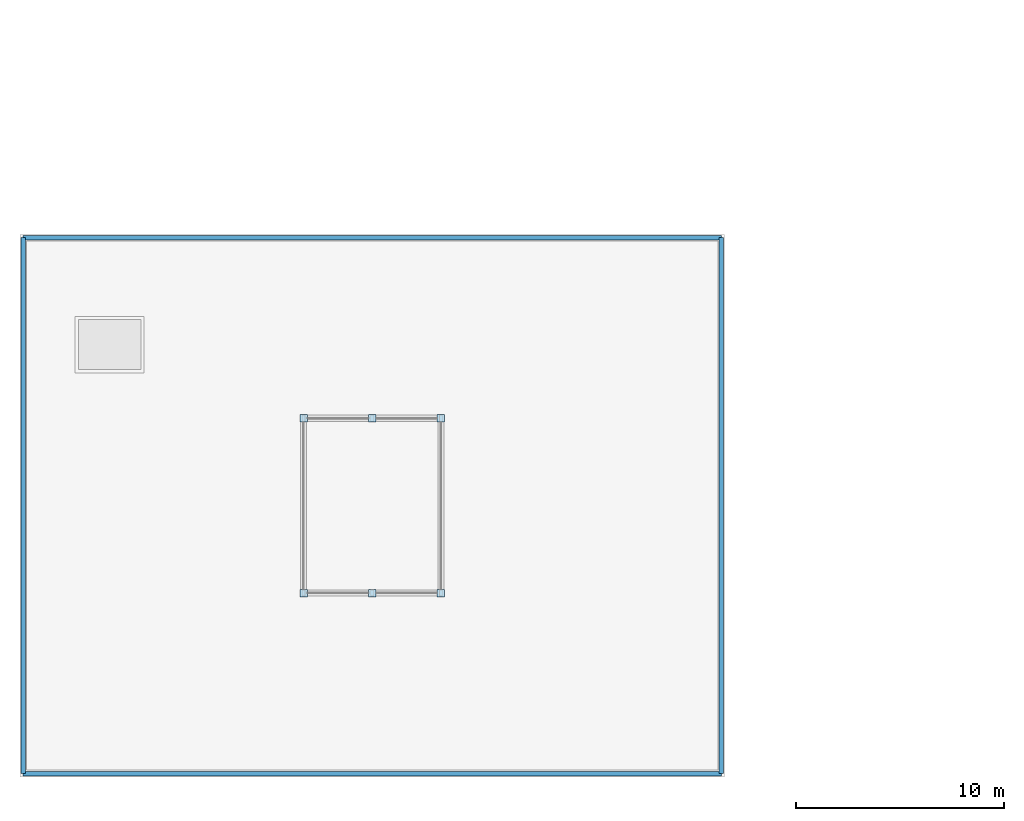
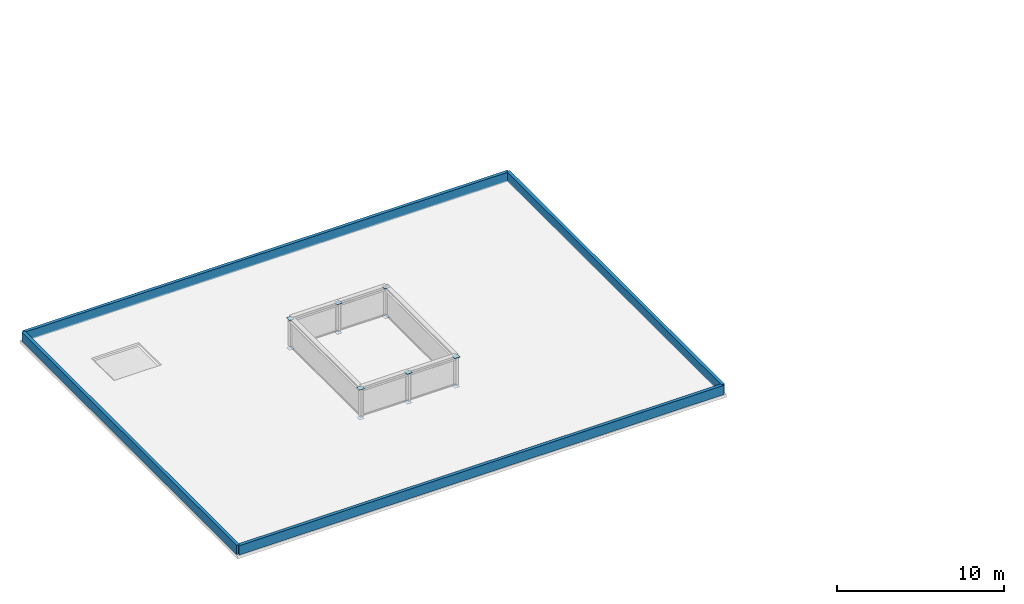
# One storey, part 5 of 14: 12 plates, 4 walls.
"""IFC4 building model written with IfcOpenShell, lengths in metres."""

import ifcopenshell
import ifcopenshell.guid

model = None  # the IFC model being written
_history = None  # IfcOwnerHistory: only IFC2X3 demands one
_inside = {}  # id of a spatial element -> (the spatial element, [elements in it])
_under = {}  # id of a project, library or spatial element -> (it, [spatial elements below it])
_declared = {}  # id of a project -> (the project, [libraries it declares])
_typed = {}  # id of a type object -> (the type object, [elements of that type])
_made_of = {}  # id of a material, layer set ... -> (it, [elements and type objects made of it])


def new_model(schema):
    """Start an empty IFC model of exactly this schema.

    Asked for "IFC4X3", IfcOpenShell would pick the latest addendum, in which some entities
    have other attributes; the version numbers below select the first issue.
    IFC2X3 requires an IfcOwnerHistory on every rooted entity: one is made here for all.
    """
    global model, _history
    if schema == "IFC4X3":
        model = ifcopenshell.file(schema_version=(4, 3, 0, 0))
    else:
        model = ifcopenshell.file(schema=schema)
    _inside.clear()
    _under.clear()
    _declared.clear()
    _typed.clear()
    _made_of.clear()
    _history = None
    if model.schema == "IFC2X3":
        org = make("IfcOrganization", Name="unknown")
        user = make(
            "IfcPersonAndOrganization",
            ThePerson=make("IfcPerson", FamilyName="unknown"),
            TheOrganization=org,
        )
        app = make(
            "IfcApplication",
            ApplicationDeveloper=org,
            Version="unknown",
            ApplicationFullName="unknown",
            ApplicationIdentifier="unknown",
        )
        _history = make(
            "IfcOwnerHistory",
            OwningUser=user,
            OwningApplication=app,
            ChangeAction="ADDED",
            CreationDate=0,
        )
    return model


def make(cls, **values):
    """One entity of the class cls with the attributes given. An attribute that is None is left unset."""
    return model.create_entity(
        cls, **{name: value for name, value in values.items() if value is not None}
    )


def rooted(cls, **values):
    """An entity with a GlobalId (a new one), such as an element, a storey or a relation."""
    return make(cls, GlobalId=ifcopenshell.guid.new(), OwnerHistory=_history, **values)


def si_unit(unit_type, name, prefix=None):
    """IfcSIUnit, for example si_unit("LENGTHUNIT", "METRE", prefix="MILLI")."""
    return make("IfcSIUnit", UnitType=unit_type, Prefix=prefix, Name=name)


def assignment(units):
    """IfcUnitAssignment: the units of a project."""
    return None if units is None else make("IfcUnitAssignment", Units=units)


def point(xyz):
    """IfcCartesianPoint."""
    return None if xyz is None else make("IfcCartesianPoint", Coordinates=xyz)


def direction(xyz):
    """IfcDirection."""
    return None if xyz is None else make("IfcDirection", DirectionRatios=xyz)


def frame(location, z_axis=None, x_axis=None):
    """IfcAxis2Placement3D, a coordinate frame: its origin and axes. An axis left out is left unset."""
    return make(
        "IfcAxis2Placement3D",
        Location=point(location),
        Axis=direction(z_axis),
        RefDirection=direction(x_axis),
    )


def frame_2d(location, x_axis=None):
    """IfcAxis2Placement2D, a coordinate frame in the plane: its origin and x axis."""
    return make(
        "IfcAxis2Placement2D", Location=point(location), RefDirection=direction(x_axis)
    )


def origin():
    """The frame at (0, 0, 0) with its axes left unset."""
    return frame((0.0, 0.0, 0.0))


def origin_2d():
    """The frame at (0, 0) in the plane with its x axis left unset."""
    return frame_2d((0.0, 0.0))


def place(relative_to, where):
    """IfcLocalPlacement: puts the frame where relative to a parent placement (None: the world)."""
    return make(
        "IfcLocalPlacement", PlacementRelTo=relative_to, RelativePlacement=where
    )


def context(
    kind, dimensions, precision=None, world=None, true_north=None, identifier=None
):
    """IfcGeometricRepresentationContext, for example the 3D "Model" context."""
    return make(
        "IfcGeometricRepresentationContext",
        ContextIdentifier=identifier,
        ContextType=kind,
        CoordinateSpaceDimension=dimensions,
        Precision=precision,
        WorldCoordinateSystem=world,
        TrueNorth=true_north,
    )


def subcontext(parent, identifier, kind, view, scale=None):
    """IfcGeometricRepresentationSubContext, for example "Body" below "Model"."""
    return make(
        "IfcGeometricRepresentationSubContext",
        ContextIdentifier=identifier,
        ContextType=kind,
        ParentContext=parent,
        TargetScale=scale,
        TargetView=view,
    )


def project(units=None, contexts=None):
    """IfcProject with its units and contexts."""
    return rooted(
        "IfcProject",
        Name="project",
        RepresentationContexts=contexts,
        UnitsInContext=assignment(units),
    )


def spatial(cls, under=None, at=None, **own):
    """A site, building, storey or space (cls), placed at a placement, below another one or the project."""
    s = rooted(cls, ObjectPlacement=at, **own)
    if under is not None:
        _under.setdefault(under.id(), (under, []))[1].append(s)
    return s


def profile(cls, at=None, kind="AREA", **sizes):
    """A parametric profile (cls). Its sizes go by their IFC names, for example OverallWidth=200.0."""
    return make(cls, ProfileType=kind, Position=at, **sizes)


def rectangle(**sizes):
    """IfcRectangleProfileDef."""
    return profile("IfcRectangleProfileDef", **sizes)


def extrude(swept, where, along, depth):
    """IfcExtrudedAreaSolid: the profile swept, set in the frame where, extruded along a direction by depth."""
    return make(
        "IfcExtrudedAreaSolid",
        SweptArea=swept,
        Position=where,
        ExtrudedDirection=direction(along),
        Depth=depth,
    )


def shape(context_of_items, identifier, shape_type, items):
    """IfcShapeRepresentation: the items that make up one representation, for example the "Body"."""
    return make(
        "IfcShapeRepresentation",
        ContextOfItems=context_of_items,
        RepresentationIdentifier=identifier,
        RepresentationType=shape_type,
        Items=items,
    )


def material(Name=None, Category=None):
    """IfcMaterial."""
    return make("IfcMaterial", Name=Name, Category=Category)


def layer(
    of_material, thickness, ventilated=None, Name=None, Category=None, Priority=None
):
    """IfcMaterialLayer: one layer of a wall or slab, of a material (None: an air gap)."""
    return make(
        "IfcMaterialLayer",
        Material=of_material,
        LayerThickness=thickness,
        IsVentilated=ventilated,
        Name=Name,
        Category=Category,
        Priority=Priority,
    )


def layer_set(layers, Name=None):
    """IfcMaterialLayerSet."""
    return make("IfcMaterialLayerSet", MaterialLayers=layers, LayerSetName=Name)


def made_of(thing, what):
    """Note that an element or type object is made of a material, layer set ...; save() writes the relation."""
    if what is not None:
        _made_of.setdefault(what.id(), (what, []))[1].append(thing)
    return thing


def type_object(cls, material=None, **own):
    """A type object (cls), such as IfcWallType, which elements share."""
    return made_of(rooted(cls, **own), material)


def element(
    cls,
    number,
    at=None,
    inside=None,
    cuts=None,
    type_object=None,
    material=None,
    context=None,
    identifier="Body",
    shape_type=None,
    held_by="IfcProductDefinitionShape",
    body=None,
    shapes=None,
    **own,
):
    """One element of the class cls, such as IfcWall. Its Tag is "e" and its number.

    at: its placement. inside: the storey or other place that contains it. cuts: it is an
    opening in that element (IfcRelVoidsElement). A single representation is given by context,
    identifier, shape_type and body (its items); several are given by shapes. held_by: the class
    of the entity that holds the representations. save() writes the other relations.
    """
    e = rooted(cls, Tag="e%d" % number, ObjectPlacement=at, **own)
    if body is not None:
        shapes = [shape(context, identifier, shape_type, body)]
    if shapes is not None:
        e.Representation = make(held_by, Representations=shapes)
    if inside is not None:
        _inside.setdefault(inside.id(), (inside, []))[1].append(e)
    if cuts is not None:
        rooted(
            "IfcRelVoidsElement", RelatingBuildingElement=cuts, RelatedOpeningElement=e
        )
    if type_object is not None:
        _typed.setdefault(type_object.id(), (type_object, []))[1].append(e)
    return made_of(e, material)


def aggregate(whole, parts):
    """IfcRelAggregates: a whole, such as a stair, and the parts it consists of."""
    return rooted("IfcRelAggregates", RelatingObject=whole, RelatedObjects=parts)


def save(model, path):
    """Write the relations noted so far, then the file.

    IfcRelAggregates (storeys below a building ...), IfcRelContainedInSpatialStructure (elements
    in a storey), IfcRelDefinesByType, IfcRelAssociatesMaterial and IfcRelDeclares: one each for
    every whole, place, type object, material and project.
    """
    for whole, parts in _under.values():
        aggregate(whole, parts)
    for where, things in _inside.values():
        rooted(
            "IfcRelContainedInSpatialStructure",
            RelatedElements=things,
            RelatingStructure=where,
        )
    for kind, things in _typed.values():
        rooted("IfcRelDefinesByType", RelatedObjects=things, RelatingType=kind)
    for what, things in _made_of.values():
        rooted("IfcRelAssociatesMaterial", RelatedObjects=things, RelatingMaterial=what)
    for by, libraries in _declared.values():
        rooted("IfcRelDeclares", RelatingContext=by, RelatedDefinitions=libraries)
    model.write(path)


model = new_model("IFC4")

# Units and contexts
model_context = context("Model", 3, precision=1e-05, world=origin(), true_north=direction((0.0, 1.0)))
body_context = subcontext(model_context, "Body", "Model", "MODEL_VIEW")
ifc_project = project(units=[si_unit("LENGTHUNIT", "METRE"), si_unit("AREAUNIT", "SQUARE_METRE"), si_unit("VOLUMEUNIT", "CUBIC_METRE"), si_unit("PLANEANGLEUNIT", "RADIAN"), si_unit("MASSUNIT", "GRAM", prefix="KILO")], contexts=[model_context])

# Site, building, storey
site_placement = place(None, origin())
site = spatial("IfcSite", under=ifc_project, at=site_placement, CompositionType="ELEMENT")
building_placement = place(site_placement, origin())
building = spatial("IfcBuilding", under=site, at=building_placement, Name="Kolvaren Faculty of Natural Sciences", CompositionType="ELEMENT")
storey_placement = place(building_placement, frame((0.0, 0.0, 28.5)))
storey = spatial("IfcBuildingStorey", under=building, at=storey_placement, Name="L06", CompositionType="ELEMENT", Elevation=28.5)

# Plates
ifc_material_1 = material(Name="Structural steel EN 10025-2 S355J2 (white architectural finish)", Category="steel")
ifc_layer_1 = layer(ifc_material_1, 0.02001953125)
ifc_layer_set_1 = layer_set([ifc_layer_1], Name="Structural steel EN 10025-2 S355J2 (white architectural finish)")
plate_type = type_object("IfcPlateType", Name="BranchTipCollarPlate_TN3", PredefinedType="USERDEFINED", material=ifc_layer_set_1)
for number, where, z_axis, x_axis, name in (
    (1, (20.0, 25.39990234375, -0.010009765625), (0.0, 0.0, 1.0), (1.0, 0.0, 0.0), "Rooftop plant screen post 1 baseplate TN3"),
    (2, (20.0, 25.39990234375, 2.169921875), (0.0, 0.0, 1.0), (1.0, 0.0, 0.0), "Rooftop plant screen post 1 cap plate TN3"),
    (3, (23.300048828125, 25.39990234375, -0.010009765625), (0.0, 0.0, 1.0), (1.0, 0.0, 0.0), "Rooftop plant screen post 2 baseplate TN3"),
    (4, (23.300048828125, 25.39990234375, 2.169921875), (0.0, 0.0, 1.0), (1.0, 0.0, 0.0), "Rooftop plant screen post 2 cap plate TN3"),
    (5, (26.60009765625, 25.39990234375, -0.010009765625), (0.0, 0.0, 1.0), (1.0, 0.0, 0.0), "Rooftop plant screen post 3 baseplate TN3"),
    (6, (26.60009765625, 25.39990234375, 2.169921875), (0.0, 0.0, 1.0), (1.0, 0.0, 0.0), "Rooftop plant screen post 3 cap plate TN3"),
    (7, (26.60009765625, 33.800048828125, -0.010009765625), (0.0, 0.0, 1.0), (1.0, 0.0, 0.0), "Rooftop plant screen post 4 baseplate TN3"),
    (8, (26.60009765625, 33.800048828125, 2.169921875), (0.0, 0.0, 1.0), (1.0, 0.0, 0.0), "Rooftop plant screen post 4 cap plate TN3"),
    (9, (23.300048828125, 33.800048828125, -0.010009765625), (0.0, 0.0, 1.0), (1.0, 0.0, 0.0), "Rooftop plant screen post 5 baseplate TN3"),
    (10, (23.300048828125, 33.800048828125, 2.169921875), (0.0, 0.0, 1.0), (1.0, 0.0, 0.0), "Rooftop plant screen post 5 cap plate TN3"),
    (11, (20.0, 33.800048828125, -0.010009765625), (0.0, 0.0, 1.0), (1.0, 0.0, 0.0), "Rooftop plant screen post 6 baseplate TN3"),
    (12, (20.0, 33.800048828125, 2.169921875), (0.0, 0.0, 1.0), (1.0, 0.0, 0.0), "Rooftop plant screen post 6 cap plate TN3"),
):
    element("IfcPlate", number, at=place(storey_placement, frame(where, z_axis=z_axis, x_axis=x_axis)), inside=storey, type_object=plate_type, Name=name, ObjectType="GUSSET PLATE", PredefinedType="USERDEFINED", context=body_context, shape_type="SweptSolid", body=[
        extrude(rectangle(XDim=0.360107421875, YDim=0.360107421875, at=origin_2d()), origin(), (0.0, 0.0, 1.0), 0.02001953125),
    ])

# Walls
ifc_material_2 = material(Name="Precast concrete C35/45", Category="concrete")
ifc_layer_2 = layer(ifc_material_2, 0.219970703125)
ifc_layer_set_2 = layer_set([ifc_layer_2], Name="Precast concrete C35/45")
wall_type = type_object("IfcWallType", Name="ParapetUpstandWall_220", PredefinedType="PARAPET", material=ifc_layer_set_2)
wall_1_placement = place(storey_placement, frame((40.080078125, 16.719970703125, 0.0), z_axis=(0.0, 0.0, 1.0), x_axis=(-1.0, 0.0, 0.0)))
element("IfcWall", 13, at=wall_1_placement, inside=storey, type_object=wall_type, Name="L06 architectural sandstone roof parapet 61", PredefinedType="PARAPET", context=body_context, shape_type="SweptSolid", body=[
    extrude(rectangle(XDim=33.56005859375, YDim=0.219970703125, at=frame_2d((16.780029296875, 0.0))), origin(), (0.0, 0.0, 1.0), 0.679931640625),
])
wall_2_placement = place(storey_placement, frame((6.52001953125, 16.719970703125, 0.0), z_axis=(0.0, 0.0, 1.0), x_axis=(0.0, 1.0, 0.0)))
element("IfcWall", 14, at=wall_2_placement, inside=storey, type_object=wall_type, Name="L06 architectural sandstone roof parapet 62", PredefinedType="PARAPET", context=body_context, shape_type="SweptSolid", body=[
    extrude(rectangle(XDim=25.760009765625, YDim=0.219970703125, at=frame_2d((12.8798828125, 0.0))), origin(), (0.0, 0.0, 1.0), 0.679931640625),
])
wall_3_placement = place(storey_placement, frame((6.52001953125, 42.47998046875, 0.0), z_axis=(0.0, 0.0, 1.0), x_axis=(1.0, 0.0, 0.0)))
element("IfcWall", 15, at=wall_3_placement, inside=storey, type_object=wall_type, Name="L06 architectural sandstone roof parapet 63", PredefinedType="PARAPET", context=body_context, shape_type="SweptSolid", body=[
    extrude(rectangle(XDim=33.56005859375, YDim=0.219970703125, at=frame_2d((16.780029296875, 0.0))), origin(), (0.0, 0.0, 1.0), 0.679931640625),
])
wall_4_placement = place(storey_placement, frame((40.080078125, 42.47998046875, 0.0), z_axis=(0.0, 0.0, 1.0), x_axis=(0.0, -1.0, 0.0)))
element("IfcWall", 16, at=wall_4_placement, inside=storey, type_object=wall_type, Name="L06 architectural sandstone roof parapet 64", PredefinedType="PARAPET", context=body_context, shape_type="SweptSolid", body=[
    extrude(rectangle(XDim=25.760009765625, YDim=0.219970703125, at=frame_2d((12.8798828125, 0.0))), origin(), (0.0, 0.0, 1.0), 0.679931640625),
])

save(model, "model.ifc")
